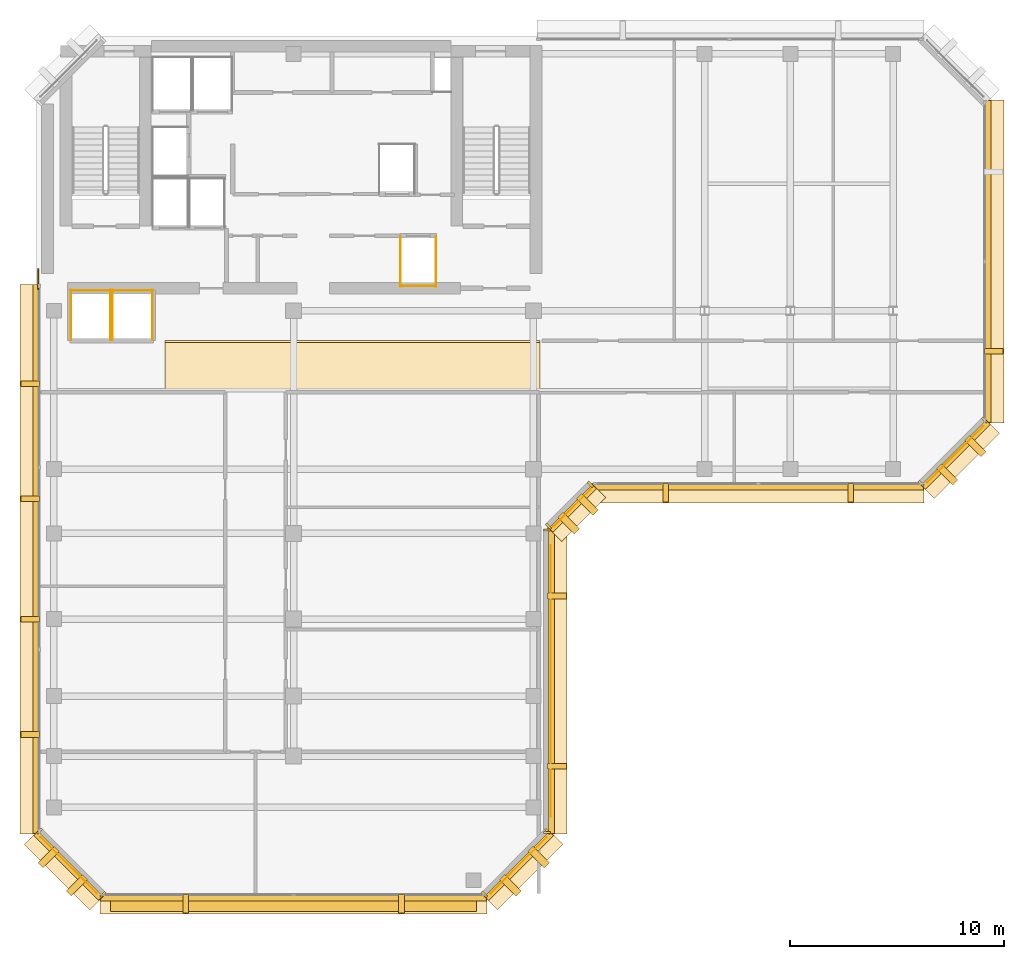
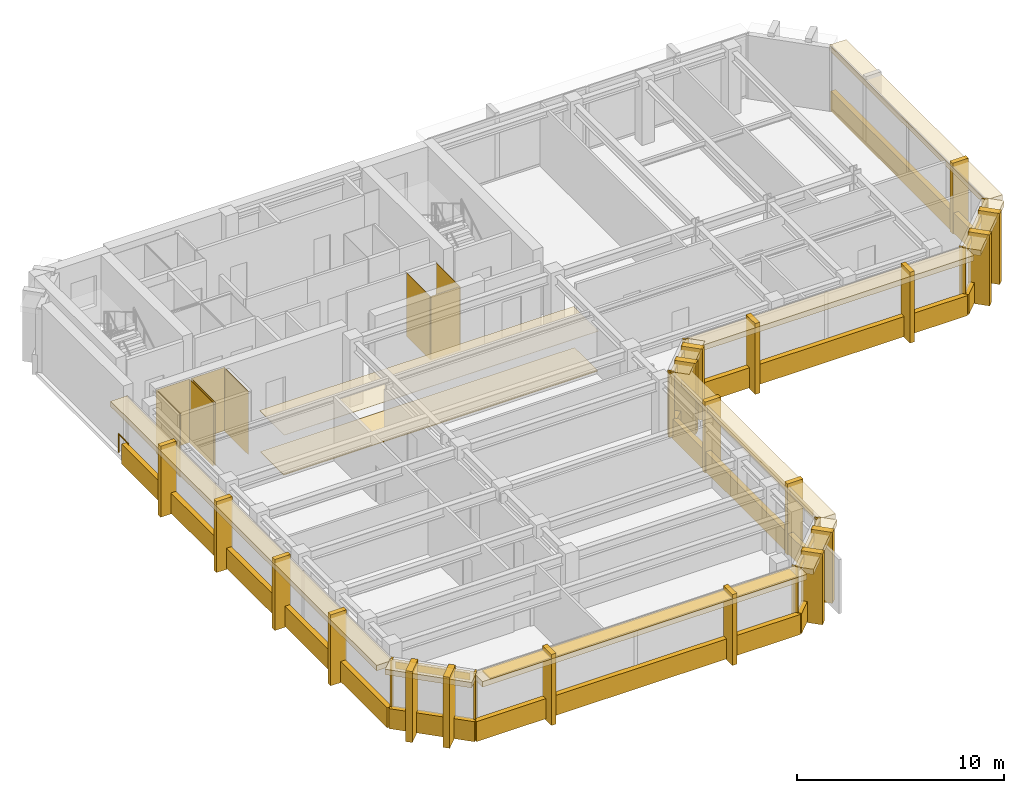
# One storey, part 9 of 11: 63 coverings, 1 railing, 1 shading device.
"""IFC4 building model written with IfcOpenShell, lengths in metres."""

from ifc_helpers import new_model, si_unit, direction, frame, origin, origin_2d, place, context, subcontext, project, spatial, polyline, rectangle, circle, outline, extrude, material, layer, layer_set, type_object, element, save


model = new_model("IFC4")

# Units and contexts
model_context = context("Model", 3, precision=1e-05, world=origin(), true_north=direction((0.0, 1.0)))
body_context = subcontext(model_context, "Body", "Model", "MODEL_VIEW")
ifc_project = project(units=[si_unit("LENGTHUNIT", "METRE"), si_unit("AREAUNIT", "SQUARE_METRE"), si_unit("VOLUMEUNIT", "CUBIC_METRE"), si_unit("PLANEANGLEUNIT", "RADIAN"), si_unit("MASSUNIT", "GRAM", prefix="KILO")], contexts=[model_context])

# Site, building, storey
site_placement = place(None, origin())
site = spatial("IfcSite", under=ifc_project, at=site_placement, CompositionType="ELEMENT")
building_placement = place(site_placement, origin())
building = spatial("IfcBuilding", under=site, at=building_placement, Name="Kefirva Bronze Tower", CompositionType="ELEMENT")
storey_placement = place(building_placement, frame((0.0, 0.0, 307.889892578125)))
storey = spatial("IfcBuildingStorey", under=building, at=storey_placement, Name="L75", CompositionType="ELEMENT", Elevation=307.889892578125)

# Coverings
ifc_material_1 = material(Name="Acoustic mineral tile")
ifc_layer_1 = layer(ifc_material_1, 0.02490234375, Name="Acoustic mineral tile")
ifc_layer_set_1 = layer_set([ifc_layer_1], Name="Acoustic mineral tile")
covering_type_1 = type_object("IfcCoveringType", Name="Acoustic Mineral Suspended Ceiling 25mm", PredefinedType="CEILING", material=ifc_layer_set_1)
covering_1_placement = place(storey_placement, frame((0.0, 0.0, 2.400146484375)))
element("IfcCovering", 1, at=covering_1_placement, inside=storey, type_object=covering_type_1, Name="L75 Corridor Acoustic Ceiling", PredefinedType="CEILING", context=body_context, shape_type="SweptSolid", body=[
    extrude(outline(polyline([(6.0, 29.39990234375), (23.5, 29.39990234375), (23.5, 31.800048828125), (6.0, 31.800048828125), (6.0, 29.39990234375)])), origin(), (0.0, 0.0, 1.0), 0.02490234375),
])
ifc_material_2 = material(Name="Bronze anodised aluminium", Category="aluminium")
ifc_layer_2 = layer(ifc_material_2, 0.02001953125, Name="Bronze anodised aluminium")
ifc_layer_set_2 = layer_set([ifc_layer_2], Name="Bronze anodised aluminium")
covering_type_2 = type_object("IfcCoveringType", Name="Anodised Bronze Spandrel Cladding 20mm", PredefinedType="CLADDING", material=ifc_layer_set_2)
covering_2_placement = place(storey_placement, frame((12.0, 5.760009765625, -0.15966796875), z_axis=(0.0, 0.0, 1.0), x_axis=(1.0, 0.0, 0.0)))
element("IfcCovering", 2, at=covering_2_placement, inside=storey, type_object=covering_type_2, Name="L75 Streamline Horizontal Spandrel Band 0", PredefinedType="CLADDING", context=body_context, shape_type="SweptSolid", body=[
    extrude(rectangle(XDim=18.0400390625, YDim=0.280029296875, at=origin_2d()), origin(), (0.0, 0.0, 1.0), 1.179931640625),
])
covering_3_placement = place(storey_placement, frame((22.507080078125, 7.29296875, 3.320068359375), z_axis=(0.0, 0.0, 1.0), x_axis=(0.707106781187, 0.707106781187, 0.0)))
element("IfcCovering", 3, at=covering_3_placement, inside=storey, type_object=covering_type_2, Name="L75 Bronze Spandrel Cladding 1", PredefinedType="CLADDING", context=body_context, shape_type="SweptSolid", body=[
    extrude(rectangle(XDim=3.719482421875, YDim=0.02001953125, at=origin_2d()), origin(), (0.0, 0.0, 1.0), 0.39990234375),
])
for number, where, z_axis, x_axis, name in (
    (4, (20.91162109375, 5.93798828125, 0.0), (0.0, 0.0, 1.0), (0.707106781187, 0.707106781187, 0.0), "L75 Facade Joint Closure Panel 1S"),
    (5, (23.862060546875, 8.88818359375, 0.0), (0.0, 0.0, 1.0), (0.707106781187, 0.707106781187, 0.0), "L75 Facade Joint Closure Panel 1E"),
):
    element("IfcCovering", number, at=place(storey_placement, frame(where, z_axis=z_axis, x_axis=x_axis)), inside=storey, type_object=covering_type_2, Name=name, PredefinedType="CLADDING", context=body_context, shape_type="SweptSolid", body=[
        extrude(rectangle(XDim=0.10009765625, YDim=0.320068359375, at=origin_2d()), origin(), (0.0, 0.0, 1.0), 3.739990234375),
    ])
covering_4_placement = place(storey_placement, frame((22.5283203125, 7.271728515625, -0.15966796875), z_axis=(0.0, 0.0, 1.0), x_axis=(0.707106781187, 0.707106781187, 0.0)))
element("IfcCovering", 6, at=covering_4_placement, inside=storey, type_object=covering_type_2, Name="L75 Streamline Horizontal Spandrel Band 1", PredefinedType="CLADDING", context=body_context, shape_type="SweptSolid", body=[
    extrude(rectangle(XDim=4.28271484375, YDim=0.280029296875, at=origin_2d()), origin(), (0.0, 0.0, 1.0), 1.179931640625),
])
covering_5_placement = place(storey_placement, frame((24.010009765625, 15.89990234375, 3.320068359375), z_axis=(0.0, 0.0, 1.0), x_axis=(0.0, 1.0, 0.0)))
element("IfcCovering", 7, at=covering_5_placement, inside=storey, type_object=covering_type_2, Name="L75 Bronze Spandrel Cladding 2", PredefinedType="CLADDING", context=body_context, shape_type="SweptSolid", body=[
    extrude(rectangle(XDim=12.680908203125, YDim=0.02001953125, at=origin_2d()), origin(), (0.0, 0.0, 1.0), 0.39990234375),
])
for number, where, z_axis, x_axis, name in (
    (8, (23.840087890625, 8.8349609375, 0.0), (0.0, 0.0, 1.0), (0.0, 1.0, 0.0), "L75 Facade Joint Closure Panel 2S"),
    (9, (23.840087890625, 22.965087890625, 0.0), (0.0, 0.0, 1.0), (0.0, 1.0, 0.0), "L75 Facade Joint Closure Panel 2E"),
):
    element("IfcCovering", number, at=place(storey_placement, frame(where, z_axis=z_axis, x_axis=x_axis)), inside=storey, type_object=covering_type_2, Name=name, PredefinedType="CLADDING", context=body_context, shape_type="SweptSolid", body=[
        extrude(rectangle(XDim=0.10009765625, YDim=0.320068359375, at=origin_2d()), origin(), (0.0, 0.0, 1.0), 3.739990234375),
    ])
covering_6_placement = place(storey_placement, frame((24.0400390625, 15.89990234375, -0.15966796875), z_axis=(0.0, 0.0, 1.0), x_axis=(0.0, 1.0, 0.0)))
element("IfcCovering", 10, at=covering_6_placement, inside=storey, type_object=covering_type_2, Name="L75 Streamline Horizontal Spandrel Band 2", PredefinedType="CLADDING", context=body_context, shape_type="SweptSolid", body=[
    extrude(rectangle(XDim=14.239990234375, YDim=0.280029296875, at=origin_2d()), origin(), (0.0, 0.0, 1.0), 1.179931640625),
])
covering_7_placement = place(storey_placement, frame((25.007080078125, 23.992919921875, 3.320068359375), z_axis=(0.0, 0.0, 1.0), x_axis=(0.707106781187, 0.707106781187, 0.0)))
element("IfcCovering", 11, at=covering_7_placement, inside=storey, type_object=covering_type_2, Name="L75 Bronze Spandrel Cladding 3", PredefinedType="CLADDING", context=body_context, shape_type="SweptSolid", body=[
    extrude(rectangle(XDim=2.446533203125, YDim=0.02001953125, at=origin_2d()), origin(), (0.0, 0.0, 1.0), 0.39990234375),
])
for number, where, z_axis, x_axis, name in (
    (12, (23.91162109375, 23.137939453125, 0.0), (0.0, 0.0, 1.0), (0.707106781187, 0.707106781187, 0.0), "L75 Facade Joint Closure Panel 3S"),
    (13, (25.862060546875, 25.08837890625, 0.0), (0.0, 0.0, 1.0), (0.707106781187, 0.707106781187, 0.0), "L75 Facade Joint Closure Panel 3E"),
):
    element("IfcCovering", number, at=place(storey_placement, frame(where, z_axis=z_axis, x_axis=x_axis)), inside=storey, type_object=covering_type_2, Name=name, PredefinedType="CLADDING", context=body_context, shape_type="SweptSolid", body=[
        extrude(rectangle(XDim=0.10009765625, YDim=0.320068359375, at=origin_2d()), origin(), (0.0, 0.0, 1.0), 3.739990234375),
    ])
covering_8_placement = place(storey_placement, frame((25.0283203125, 23.9716796875, -0.15966796875), z_axis=(0.0, 0.0, 1.0), x_axis=(0.707106781187, 0.707106781187, 0.0)))
element("IfcCovering", 14, at=covering_8_placement, inside=storey, type_object=covering_type_2, Name="L75 Streamline Horizontal Spandrel Band 3", PredefinedType="CLADDING", context=body_context, shape_type="SweptSolid", body=[
    extrude(rectangle(XDim=2.868408203125, YDim=0.280029296875, at=origin_2d()), origin(), (0.0, 0.0, 1.0), 1.179931640625),
])
covering_9_placement = place(storey_placement, frame((33.699951171875, 24.9599609375, -0.15966796875), z_axis=(0.0, 0.0, 1.0), x_axis=(1.0, 0.0, 0.0)))
element("IfcCovering", 15, at=covering_9_placement, inside=storey, type_object=covering_type_2, Name="L75 Streamline Horizontal Spandrel Band 4", PredefinedType="CLADDING", context=body_context, shape_type="SweptSolid", body=[
    extrude(rectangle(XDim=15.43994140625, YDim=0.280029296875, at=origin_2d()), origin(), (0.0, 0.0, 1.0), 1.179931640625),
])
covering_10_placement = place(storey_placement, frame((42.906982421875, 26.492919921875, 3.320068359375), z_axis=(0.0, 0.0, 1.0), x_axis=(0.707106781187, 0.707106781187, 0.0)))
element("IfcCovering", 16, at=covering_10_placement, inside=storey, type_object=covering_type_2, Name="L75 Bronze Spandrel Cladding 4", PredefinedType="CLADDING", context=body_context, shape_type="SweptSolid", body=[
    extrude(rectangle(XDim=3.719482421875, YDim=0.02001953125, at=origin_2d()), origin(), (0.0, 0.0, 1.0), 0.39990234375),
])
for number, where, z_axis, x_axis, name in (
    (17, (41.311767578125, 25.137939453125, 0.0), (0.0, 0.0, 1.0), (0.707106781187, 0.707106781187, 0.0), "L75 Facade Joint Closure Panel 4S"),
    (18, (44.26220703125, 28.08837890625, 0.0), (0.0, 0.0, 1.0), (0.707106781187, 0.707106781187, 0.0), "L75 Facade Joint Closure Panel 4E"),
):
    element("IfcCovering", number, at=place(storey_placement, frame(where, z_axis=z_axis, x_axis=x_axis)), inside=storey, type_object=covering_type_2, Name=name, PredefinedType="CLADDING", context=body_context, shape_type="SweptSolid", body=[
        extrude(rectangle(XDim=0.10009765625, YDim=0.320068359375, at=origin_2d()), origin(), (0.0, 0.0, 1.0), 3.739990234375),
    ])
covering_11_placement = place(storey_placement, frame((42.92822265625, 26.4716796875, -0.15966796875), z_axis=(0.0, 0.0, 1.0), x_axis=(0.707106781187, 0.707106781187, 0.0)))
element("IfcCovering", 19, at=covering_11_placement, inside=storey, type_object=covering_type_2, Name="L75 Streamline Horizontal Spandrel Band 5", PredefinedType="CLADDING", context=body_context, shape_type="SweptSolid", body=[
    extrude(rectangle(XDim=4.28271484375, YDim=0.280029296875, at=origin_2d()), origin(), (0.0, 0.0, 1.0), 1.179931640625),
])
covering_12_placement = place(storey_placement, frame((44.43994140625, 35.5, -0.15966796875), z_axis=(0.0, 0.0, 1.0), x_axis=(0.0, 1.0, 0.0)))
element("IfcCovering", 20, at=covering_12_placement, inside=storey, type_object=covering_type_2, Name="L75 Streamline Horizontal Spandrel Band 6", PredefinedType="CLADDING", context=body_context, shape_type="SweptSolid", body=[
    extrude(rectangle(XDim=15.0400390625, YDim=0.280029296875, at=origin_2d()), origin(), (0.0, 0.0, 1.0), 1.179931640625),
])
covering_13_placement = place(storey_placement, frame((-0.0400390625, 21.597412109375, -0.15966796875), z_axis=(0.0, 0.0, 1.0), x_axis=(0.0, -1.0, 0.0)))
element("IfcCovering", 21, at=covering_13_placement, inside=storey, type_object=covering_type_2, Name="L75 Streamline Horizontal Spandrel Band 10", PredefinedType="CLADDING", context=body_context, shape_type="SweptSolid", body=[
    extrude(rectangle(XDim=25.635009765625, YDim=0.280029296875, at=origin_2d()), origin(), (0.0, 0.0, 1.0), 1.179931640625),
])
covering_14_placement = place(storey_placement, frame((1.492919921875, 7.29296875, 3.320068359375), z_axis=(0.0, 0.0, 1.0), x_axis=(0.707106781187, -0.707106781187, 0.0)))
element("IfcCovering", 22, at=covering_14_placement, inside=storey, type_object=covering_type_2, Name="L75 Bronze Spandrel Cladding 7", PredefinedType="CLADDING", context=body_context, shape_type="SweptSolid", body=[
    extrude(rectangle(XDim=3.719482421875, YDim=0.02001953125, at=origin_2d()), origin(), (0.0, 0.0, 1.0), 0.39990234375),
])
for number, where, z_axis, x_axis, name in (
    (23, (0.137939453125, 8.88818359375, 0.0), (0.0, 0.0, 1.0), (0.707106781187, -0.707106781187, 0.0), "L75 Facade Joint Closure Panel 7S"),
    (24, (3.08837890625, 5.93798828125, 0.0), (0.0, 0.0, 1.0), (0.707106781187, -0.707106781187, 0.0), "L75 Facade Joint Closure Panel 7E"),
):
    element("IfcCovering", number, at=place(storey_placement, frame(where, z_axis=z_axis, x_axis=x_axis)), inside=storey, type_object=covering_type_2, Name=name, PredefinedType="CLADDING", context=body_context, shape_type="SweptSolid", body=[
        extrude(rectangle(XDim=0.10009765625, YDim=0.320068359375, at=origin_2d()), origin(), (0.0, 0.0, 1.0), 3.739990234375),
    ])
covering_15_placement = place(storey_placement, frame((1.4716796875, 7.271728515625, -0.15966796875), z_axis=(0.0, 0.0, 1.0), x_axis=(0.707106781187, -0.707106781187, 0.0)))
element("IfcCovering", 25, at=covering_15_placement, inside=storey, type_object=covering_type_2, Name="L75 Streamline Horizontal Spandrel Band 11", PredefinedType="CLADDING", context=body_context, shape_type="SweptSolid", body=[
    extrude(rectangle(XDim=4.28271484375, YDim=0.280029296875, at=origin_2d()), origin(), (0.0, 0.0, 1.0), 1.179931640625),
])
covering_16_placement = place(storey_placement, origin())
element("IfcCovering", 26, at=covering_16_placement, inside=storey, type_object=covering_type_2, Name="L75 Lift OB1 Hoistway Liner N", PredefinedType="CLADDING", context=body_context, shape_type="SweptSolid", body=[
    extrude(outline(polyline([(1.580078125, 34.139892578125), (3.469970703125, 34.139892578125), (3.469970703125, 34.159912109375), (1.580078125, 34.159912109375), (1.580078125, 34.139892578125)])), origin(), (0.0, 0.0, 1.0), 3.739990234375),
])
covering_17_placement = place(storey_placement, origin())
element("IfcCovering", 27, at=covering_17_placement, inside=storey, type_object=covering_type_2, Name="L75 Lift OB1 Hoistway Liner W", PredefinedType="CLADDING", context=body_context, shape_type="SweptSolid", body=[
    extrude(outline(polyline([(1.590087890625, 31.830078125), (1.610107421875, 31.830078125), (1.610107421875, 34.169921875), (1.590087890625, 34.169921875), (1.590087890625, 31.830078125)])), origin(), (0.0, 0.0, 1.0), 3.739990234375),
])
covering_18_placement = place(storey_placement, origin())
element("IfcCovering", 28, at=covering_18_placement, inside=storey, type_object=covering_type_2, Name="L75 Lift OB1 Hoistway Liner E", PredefinedType="CLADDING", context=body_context, shape_type="SweptSolid", body=[
    extrude(outline(polyline([(3.43994140625, 31.830078125), (3.4599609375, 31.830078125), (3.4599609375, 34.169921875), (3.43994140625, 34.169921875), (3.43994140625, 31.830078125)])), origin(), (0.0, 0.0, 1.0), 3.739990234375),
])
covering_19_placement = place(storey_placement, origin())
element("IfcCovering", 29, at=covering_19_placement, inside=storey, type_object=covering_type_2, Name="L75 Lift OB2 Hoistway Liner N", PredefinedType="CLADDING", context=body_context, shape_type="SweptSolid", body=[
    extrude(outline(polyline([(3.530029296875, 34.139892578125), (5.419921875, 34.139892578125), (5.419921875, 34.159912109375), (3.530029296875, 34.159912109375), (3.530029296875, 34.139892578125)])), origin(), (0.0, 0.0, 1.0), 3.739990234375),
])
covering_20_placement = place(storey_placement, origin())
element("IfcCovering", 30, at=covering_20_placement, inside=storey, type_object=covering_type_2, Name="L75 Lift OB2 Hoistway Liner W", PredefinedType="CLADDING", context=body_context, shape_type="SweptSolid", body=[
    extrude(outline(polyline([(3.5400390625, 31.830078125), (3.56005859375, 31.830078125), (3.56005859375, 34.169921875), (3.5400390625, 34.169921875), (3.5400390625, 31.830078125)])), origin(), (0.0, 0.0, 1.0), 3.739990234375),
])
covering_21_placement = place(storey_placement, origin())
element("IfcCovering", 31, at=covering_21_placement, inside=storey, type_object=covering_type_2, Name="L75 Lift OB2 Hoistway Liner E", PredefinedType="CLADDING", context=body_context, shape_type="SweptSolid", body=[
    extrude(outline(polyline([(5.389892578125, 31.830078125), (5.409912109375, 31.830078125), (5.409912109375, 34.169921875), (5.389892578125, 34.169921875), (5.389892578125, 31.830078125)])), origin(), (0.0, 0.0, 1.0), 3.739990234375),
])
covering_22_placement = place(storey_placement, origin())
element("IfcCovering", 32, at=covering_22_placement, inside=storey, type_object=covering_type_2, Name="L75 Lift HP1 Hoistway Liner S", PredefinedType="CLADDING", context=body_context, shape_type="SweptSolid", body=[
    extrude(outline(polyline([(16.97998046875, 34.340087890625), (18.669921875, 34.340087890625), (18.669921875, 34.360107421875), (16.97998046875, 34.360107421875), (16.97998046875, 34.340087890625)])), origin(), (0.0, 0.0, 1.0), 3.739990234375),
])
covering_23_placement = place(storey_placement, origin())
element("IfcCovering", 33, at=covering_23_placement, inside=storey, type_object=covering_type_2, Name="L75 Lift HP1 Hoistway Liner W", PredefinedType="CLADDING", context=body_context, shape_type="SweptSolid", body=[
    extrude(outline(polyline([(16.989990234375, 34.330078125), (17.010009765625, 34.330078125), (17.010009765625, 36.669921875), (16.989990234375, 36.669921875), (16.989990234375, 34.330078125)])), origin(), (0.0, 0.0, 1.0), 3.739990234375),
])
covering_24_placement = place(storey_placement, origin())
element("IfcCovering", 34, at=covering_24_placement, inside=storey, type_object=covering_type_2, Name="L75 Lift HP1 Hoistway Liner E", PredefinedType="CLADDING", context=body_context, shape_type="SweptSolid", body=[
    extrude(outline(polyline([(18.639892578125, 34.330078125), (18.659912109375, 34.330078125), (18.659912109375, 36.669921875), (18.639892578125, 36.669921875), (18.639892578125, 34.330078125)])), origin(), (0.0, 0.0, 1.0), 3.739990234375),
])

# Shading device
ifc_layer_3 = layer(ifc_material_2, 0.090087890625, Name="Bronze anodised aluminium")
ifc_layer_set_3 = layer_set([ifc_layer_3], Name="Bronze anodised aluminium")
shading_device_type = type_object("IfcShadingDeviceType", Name="Horizontal Bronze Sunshade Band 750mm", PredefinedType="JALOUSIE", material=ifc_layer_set_3)
shading_device_placement = place(storey_placement, frame((12.0, 5.5048828125, 3.63525390625), z_axis=(0.0, 0.0, 1.0), x_axis=(1.0, 0.0, 0.0)))
element("IfcShadingDevice", 35, at=shading_device_placement, inside=storey, type_object=shading_device_type, Name="L75 Horizontal Bronze Sunshade Band 0", PredefinedType="JALOUSIE", context=body_context, shape_type="SweptSolid", body=[
    extrude(rectangle(XDim=17.090087890625, YDim=0.75, at=origin_2d()), origin(), (0.0, 0.0, 1.0), 0.090087890625),
])

# Railing
ifc_material_3 = material(Name="Stainless steel 316", Category="steel")
railing_type = type_object("IfcRailingType", Name="Interior Stair Guardrail 1100mm", PredefinedType="GUARDRAIL", material=ifc_material_3)
railing_placement = place(storey_placement, frame((0.080078125, 34.199951171875, 0.0)))
element("IfcRailing", 36, at=railing_placement, inside=storey, type_object=railing_type, Name="L75 West Core Junction Guardrail", PredefinedType="GUARDRAIL", context=body_context, shape_type="SweptSolid", body=[
    extrude(circle(Radius=0.02392578125, at=origin_2d()), frame((0.0, 0.0, 1.076171875), z_axis=(0.0, 1.0, 0.0), x_axis=(-1.0, 0.0, 0.0)), (0.0, 0.0, 1.0), 0.949951171875),
    extrude(circle(Radius=0.02099609375, at=origin_2d()), origin(), (0.0, 0.0, 1.0), 1.052001953125),
    extrude(circle(Radius=0.02099609375, at=origin_2d()), frame((0.0, 0.949951171875, 0.0)), (0.0, 0.0, 1.0), 1.052001953125),
])

# Coverings
ifc_material_4 = material(Name="Calcium sulphate access tile")
ifc_layer_4 = layer(ifc_material_4, 0.044921875, Name="Calcium sulphate access tile")
ifc_layer_set_4 = layer_set([ifc_layer_4], Name="Calcium sulphate access tile")
covering_type_3 = type_object("IfcCoveringType", Name="Raised Access Office Flooring 45mm", PredefinedType="FLOORING", material=ifc_layer_set_4)
covering_25_placement = place(storey_placement, origin())
element("IfcCovering", 37, at=covering_25_placement, inside=storey, type_object=covering_type_3, Name="L75 Architectural Finish Flooring", PredefinedType="FLOORING", context=body_context, shape_type="SweptSolid", body=[
    extrude(outline(polyline([(6.0, 29.47998046875), (23.5, 29.47998046875), (23.5, 31.719970703125), (6.0, 31.719970703125), (6.0, 29.47998046875)])), origin(), (0.0, 0.0, 1.0), 0.045166015625),
])
ifc_layer_5 = layer(ifc_material_2, 0.179931640625, Name="Bronze anodised aluminium")
ifc_layer_set_5 = layer_set([ifc_layer_5], Name="Bronze anodised aluminium")
covering_type_4 = type_object("IfcCoveringType", Name="Streamline Bronze Sunshade Eyebrow Cladding 180mm", PredefinedType="CLADDING", material=ifc_layer_set_5)
covering_26_placement = place(storey_placement, frame((12.0, 5.489990234375, 3.419921875), z_axis=(0.0, 0.0, 1.0), x_axis=(1.0, 0.0, 0.0)))
element("IfcCovering", 38, at=covering_26_placement, inside=storey, type_object=covering_type_4, Name="L75 Streamline Bronze Sunshade Eyebrow 0", PredefinedType="CLADDING", context=body_context, shape_type="SweptSolid", body=[
    extrude(rectangle(XDim=18.080078125, YDim=0.93994140625, at=origin_2d()), origin(), (0.0, 0.0, 1.0), 0.320068359375),
])
covering_27_placement = place(storey_placement, frame((22.71923828125, 7.080810546875, 3.419921875), z_axis=(0.0, 0.0, 1.0), x_axis=(0.707106781187, 0.707106781187, 0.0)))
element("IfcCovering", 39, at=covering_27_placement, inside=storey, type_object=covering_type_4, Name="L75 Streamline Bronze Sunshade Eyebrow 1", PredefinedType="CLADDING", context=body_context, shape_type="SweptSolid", body=[
    extrude(rectangle(XDim=4.322509765625, YDim=0.93994140625, at=origin_2d()), origin(), (0.0, 0.0, 1.0), 0.320068359375),
])
covering_28_placement = place(storey_placement, frame((24.31005859375, 15.89990234375, 3.419921875), z_axis=(0.0, 0.0, 1.0), x_axis=(0.0, 1.0, 0.0)))
element("IfcCovering", 40, at=covering_28_placement, inside=storey, type_object=covering_type_4, Name="L75 Streamline Bronze Sunshade Eyebrow 2", PredefinedType="CLADDING", context=body_context, shape_type="SweptSolid", body=[
    extrude(rectangle(XDim=14.280029296875, YDim=0.93994140625, at=origin_2d()), origin(), (0.0, 0.0, 1.0), 0.320068359375),
])
covering_29_placement = place(storey_placement, frame((25.21923828125, 23.78076171875, 3.419921875), z_axis=(0.0, 0.0, 1.0), x_axis=(0.707106781187, 0.707106781187, 0.0)))
element("IfcCovering", 41, at=covering_29_placement, inside=storey, type_object=covering_type_4, Name="L75 Streamline Bronze Sunshade Eyebrow 3", PredefinedType="CLADDING", context=body_context, shape_type="SweptSolid", body=[
    extrude(rectangle(XDim=2.908447265625, YDim=0.93994140625, at=origin_2d()), origin(), (0.0, 0.0, 1.0), 0.320068359375),
])
covering_30_placement = place(storey_placement, frame((33.699951171875, 24.68994140625, 3.419921875), z_axis=(0.0, 0.0, 1.0), x_axis=(1.0, 0.0, 0.0)))
element("IfcCovering", 42, at=covering_30_placement, inside=storey, type_object=covering_type_4, Name="L75 Streamline Bronze Sunshade Eyebrow 4", PredefinedType="CLADDING", context=body_context, shape_type="SweptSolid", body=[
    extrude(rectangle(XDim=15.47998046875, YDim=0.93994140625, at=origin_2d()), origin(), (0.0, 0.0, 1.0), 0.320068359375),
])
covering_31_placement = place(storey_placement, frame((43.119140625, 26.28076171875, 3.419921875), z_axis=(0.0, 0.0, 1.0), x_axis=(0.707106781187, 0.707106781187, 0.0)))
element("IfcCovering", 43, at=covering_31_placement, inside=storey, type_object=covering_type_4, Name="L75 Streamline Bronze Sunshade Eyebrow 5", PredefinedType="CLADDING", context=body_context, shape_type="SweptSolid", body=[
    extrude(rectangle(XDim=4.322509765625, YDim=0.93994140625, at=origin_2d()), origin(), (0.0, 0.0, 1.0), 0.320068359375),
])
covering_32_placement = place(storey_placement, frame((44.7099609375, 35.5, 3.419921875), z_axis=(0.0, 0.0, 1.0), x_axis=(0.0, 1.0, 0.0)))
element("IfcCovering", 44, at=covering_32_placement, inside=storey, type_object=covering_type_4, Name="L75 Streamline Bronze Sunshade Eyebrow 6", PredefinedType="CLADDING", context=body_context, shape_type="SweptSolid", body=[
    extrude(rectangle(XDim=15.080078125, YDim=0.93994140625, at=origin_2d()), origin(), (0.0, 0.0, 1.0), 0.320068359375),
])
covering_33_placement = place(storey_placement, frame((-0.31005859375, 21.597412109375, 3.419921875), z_axis=(0.0, 0.0, 1.0), x_axis=(0.0, -1.0, 0.0)))
element("IfcCovering", 45, at=covering_33_placement, inside=storey, type_object=covering_type_4, Name="L75 Streamline Bronze Sunshade Eyebrow 10", PredefinedType="CLADDING", context=body_context, shape_type="SweptSolid", body=[
    extrude(rectangle(XDim=25.675048828125, YDim=0.93994140625, at=origin_2d()), origin(), (0.0, 0.0, 1.0), 0.320068359375),
])
covering_34_placement = place(storey_placement, frame((1.28076171875, 7.080810546875, 3.419921875), z_axis=(0.0, 0.0, 1.0), x_axis=(0.707106781187, -0.707106781187, 0.0)))
element("IfcCovering", 46, at=covering_34_placement, inside=storey, type_object=covering_type_4, Name="L75 Streamline Bronze Sunshade Eyebrow 11", PredefinedType="CLADDING", context=body_context, shape_type="SweptSolid", body=[
    extrude(rectangle(XDim=4.322509765625, YDim=0.93994140625, at=origin_2d()), origin(), (0.0, 0.0, 1.0), 0.320068359375),
])
ifc_layer_6 = layer(ifc_material_2, 0.260009765625, Name="Bronze anodised aluminium")
ifc_layer_set_6 = layer_set([ifc_layer_6], Name="Bronze anodised aluminium")
covering_type_5 = type_object("IfcCoveringType", Name="Unbroken Bronze Buttress Fin Cladding 260mm", PredefinedType="CLADDING", material=ifc_layer_set_6)
for number, where, z_axis, x_axis, name in (
    (47, (6.9599609375, 5.5, -0.2197265625), (0.0, 0.0, 1.0), (1.0, 0.0, 0.0), "L75 Unbroken Vertical Bronze Rib Fin 1"),
    (48, (17.0400390625, 5.5, -0.2197265625), (0.0, 0.0, 1.0), (1.0, 0.0, 0.0), "L75 Unbroken Vertical Bronze Rib Fin 2"),
):
    element("IfcCovering", number, at=place(storey_placement, frame(where, z_axis=z_axis, x_axis=x_axis)), inside=storey, type_object=covering_type_5, Name=name, PredefinedType="CLADDING", context=body_context, shape_type="SweptSolid", body=[
        extrude(rectangle(XDim=0.260009765625, YDim=0.8798828125, at=origin_2d()), origin(), (0.0, 0.0, 1.0), 4.179931640625),
    ])
for number, where, z_axis, x_axis, name in (
    (49, (22.122802734375, 6.357177734375, -0.2197265625), (0.0, 0.0, 1.0), (0.707106781187, 0.707106781187, 0.0), "L75 Chamfered Corner Buttress Fin Cladding 3"),
    (50, (23.44287109375, 7.67724609375, -0.2197265625), (0.0, 0.0, 1.0), (0.707106781187, 0.707106781187, 0.0), "L75 Chamfered Corner Buttress Fin Cladding 4"),
):
    element("IfcCovering", number, at=place(storey_placement, frame(where, z_axis=z_axis, x_axis=x_axis)), inside=storey, type_object=covering_type_5, Name=name, PredefinedType="CLADDING", context=body_context, shape_type="SweptSolid", body=[
        extrude(rectangle(XDim=0.340087890625, YDim=1.080078125, at=origin_2d()), origin(), (0.0, 0.0, 1.0), 4.179931640625),
    ])
for number, where, z_axis, x_axis, name in (
    (51, (24.300048828125, 11.924072265625, -0.2197265625), (0.0, 0.0, 1.0), (0.0, 1.0, 0.0), "L75 Unbroken Vertical Bronze Rib Fin 5"),
    (52, (24.300048828125, 19.8759765625, -0.2197265625), (0.0, 0.0, 1.0), (0.0, 1.0, 0.0), "L75 Unbroken Vertical Bronze Rib Fin 6"),
):
    element("IfcCovering", number, at=place(storey_placement, frame(where, z_axis=z_axis, x_axis=x_axis)), inside=storey, type_object=covering_type_5, Name=name, PredefinedType="CLADDING", context=body_context, shape_type="SweptSolid", body=[
        extrude(rectangle(XDim=0.260009765625, YDim=0.8798828125, at=origin_2d()), origin(), (0.0, 0.0, 1.0), 4.179931640625),
    ])
for number, where, z_axis, x_axis, name in (
    (53, (24.8427734375, 23.277099609375, -0.2197265625), (0.0, 0.0, 1.0), (0.707106781187, 0.707106781187, 0.0), "L75 Chamfered Corner Buttress Fin Cladding 7"),
    (54, (25.722900390625, 24.1572265625, -0.2197265625), (0.0, 0.0, 1.0), (0.707106781187, 0.707106781187, 0.0), "L75 Chamfered Corner Buttress Fin Cladding 8"),
):
    element("IfcCovering", number, at=place(storey_placement, frame(where, z_axis=z_axis, x_axis=x_axis)), inside=storey, type_object=covering_type_5, Name=name, PredefinedType="CLADDING", context=body_context, shape_type="SweptSolid", body=[
        extrude(rectangle(XDim=0.340087890625, YDim=1.080078125, at=origin_2d()), origin(), (0.0, 0.0, 1.0), 4.179931640625),
    ])
for number, where, z_axis, x_axis, name in (
    (55, (29.387939453125, 24.699951171875, -0.2197265625), (0.0, 0.0, 1.0), (1.0, 0.0, 0.0), "L75 Unbroken Vertical Bronze Rib Fin 9"),
    (56, (38.011962890625, 24.699951171875, -0.2197265625), (0.0, 0.0, 1.0), (1.0, 0.0, 0.0), "L75 Unbroken Vertical Bronze Rib Fin 10"),
):
    element("IfcCovering", number, at=place(storey_placement, frame(where, z_axis=z_axis, x_axis=x_axis)), inside=storey, type_object=covering_type_5, Name=name, PredefinedType="CLADDING", context=body_context, shape_type="SweptSolid", body=[
        extrude(rectangle(XDim=0.260009765625, YDim=0.8798828125, at=origin_2d()), origin(), (0.0, 0.0, 1.0), 4.179931640625),
    ])
for number, where, z_axis, x_axis, name in (
    (57, (42.522705078125, 25.55712890625, -0.2197265625), (0.0, 0.0, 1.0), (0.707106781187, 0.707106781187, 0.0), "L75 Chamfered Corner Buttress Fin Cladding 11"),
    (58, (43.8427734375, 26.877197265625, -0.2197265625), (0.0, 0.0, 1.0), (0.707106781187, 0.707106781187, 0.0), "L75 Chamfered Corner Buttress Fin Cladding 12"),
):
    element("IfcCovering", number, at=place(storey_placement, frame(where, z_axis=z_axis, x_axis=x_axis)), inside=storey, type_object=covering_type_5, Name=name, PredefinedType="CLADDING", context=body_context, shape_type="SweptSolid", body=[
        extrude(rectangle(XDim=0.340087890625, YDim=1.080078125, at=origin_2d()), origin(), (0.0, 0.0, 1.0), 4.179931640625),
    ])
for number, where, z_axis, x_axis, name in (
    (59, (44.699951171875, 31.300048828125, -0.2197265625), (0.0, 0.0, 1.0), (0.0, 1.0, 0.0), "L75 Unbroken Vertical Bronze Rib Fin 13"),
    (60, (-0.300048828125, 29.787841796875, -0.2197265625), (0.0, 0.0, 1.0), (0.0, -1.0, 0.0), "L75 Unbroken Vertical Bronze Rib Fin 21"),
    (61, (-0.300048828125, 24.4130859375, -0.2197265625), (0.0, 0.0, 1.0), (0.0, -1.0, 0.0), "L75 Unbroken Vertical Bronze Rib Fin 22"),
    (62, (-0.300048828125, 18.781982421875, -0.2197265625), (0.0, 0.0, 1.0), (0.0, -1.0, 0.0), "L75 Unbroken Vertical Bronze Rib Fin 23"),
    (63, (-0.300048828125, 13.406982421875, -0.2197265625), (0.0, 0.0, 1.0), (0.0, -1.0, 0.0), "L75 Unbroken Vertical Bronze Rib Fin 24"),
):
    element("IfcCovering", number, at=place(storey_placement, frame(where, z_axis=z_axis, x_axis=x_axis)), inside=storey, type_object=covering_type_5, Name=name, PredefinedType="CLADDING", context=body_context, shape_type="SweptSolid", body=[
        extrude(rectangle(XDim=0.260009765625, YDim=0.8798828125, at=origin_2d()), origin(), (0.0, 0.0, 1.0), 4.179931640625),
    ])
for number, where, z_axis, x_axis, name in (
    (64, (0.55712890625, 7.67724609375, -0.2197265625), (0.0, 0.0, 1.0), (0.707106781187, -0.707106781187, 0.0), "L75 Chamfered Corner Buttress Fin Cladding 25"),
    (65, (1.877197265625, 6.357177734375, -0.2197265625), (0.0, 0.0, 1.0), (0.707106781187, -0.707106781187, 0.0), "L75 Chamfered Corner Buttress Fin Cladding 26"),
):
    element("IfcCovering", number, at=place(storey_placement, frame(where, z_axis=z_axis, x_axis=x_axis)), inside=storey, type_object=covering_type_5, Name=name, PredefinedType="CLADDING", context=body_context, shape_type="SweptSolid", body=[
        extrude(rectangle(XDim=0.340087890625, YDim=1.080078125, at=origin_2d()), origin(), (0.0, 0.0, 1.0), 4.179931640625),
    ])

save(model, "model.ifc")
